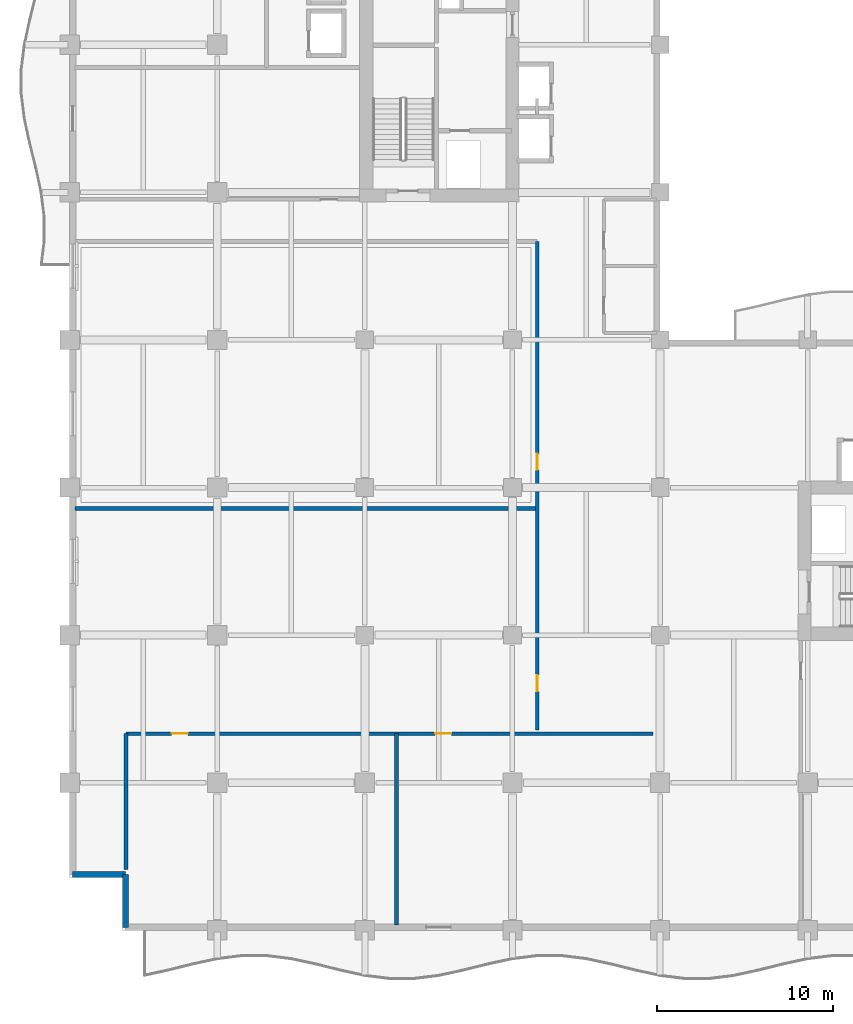
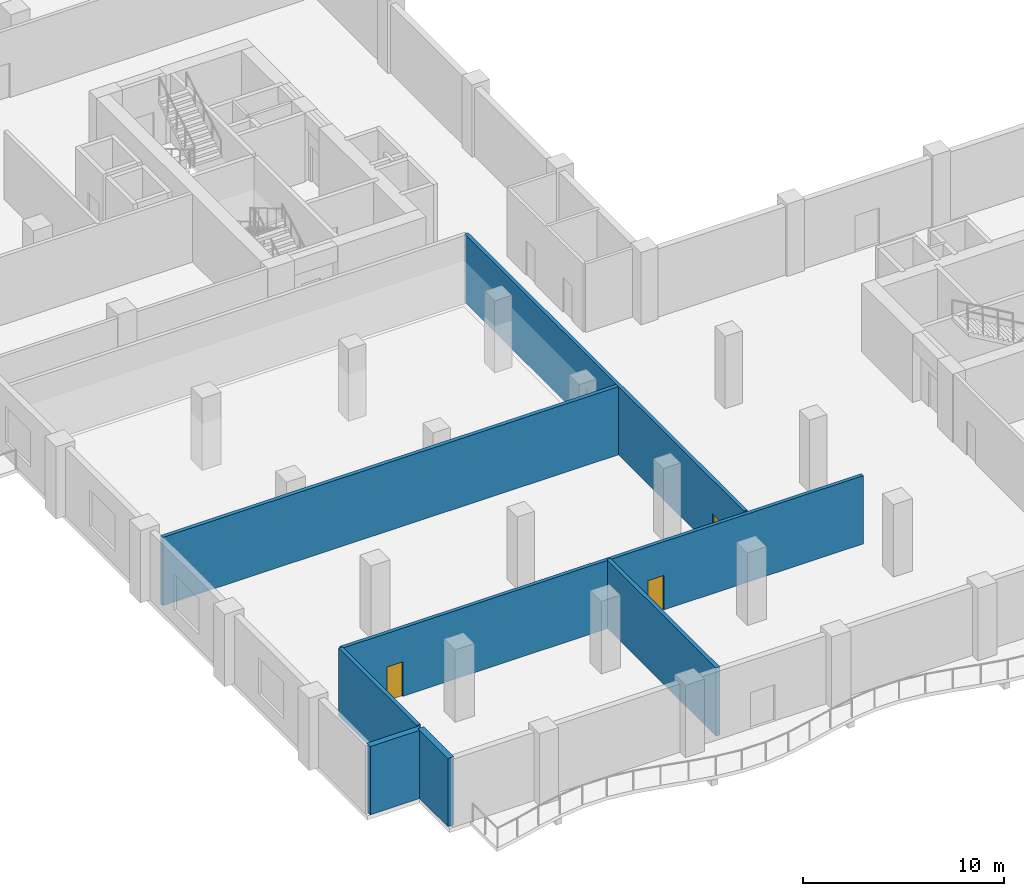
# One storey, part 9 of 22: 7 walls, 4 doors, 4 openings.
"""IFC4 building model written with IfcOpenShell, lengths in metres."""

from ifc_helpers import new_model, si_unit, direction, frame, frame_2d, origin, place, context, subcontext, project, spatial, rectangle, extrude, material, layer, layer_set, type_object, element, fill, save


model = new_model("IFC4")

# Units and contexts
model_context = context("Model", 3, precision=1e-05, world=origin(), true_north=direction((0.0, 1.0)))
body_context = subcontext(model_context, "Body", "Model", "MODEL_VIEW")
ifc_project = project(units=[si_unit("LENGTHUNIT", "METRE"), si_unit("AREAUNIT", "SQUARE_METRE"), si_unit("VOLUMEUNIT", "CUBIC_METRE"), si_unit("PLANEANGLEUNIT", "RADIAN"), si_unit("MASSUNIT", "GRAM", prefix="KILO")], contexts=[model_context])

# Site, building, storey
site_placement = place(None, origin())
site = spatial("IfcSite", under=ifc_project, at=site_placement, CompositionType="ELEMENT")
building_placement = place(site_placement, origin())
building = spatial("IfcBuilding", under=site, at=building_placement, Name="Koriwani Terraces Tower", CompositionType="ELEMENT")
storey_placement = place(building_placement, frame((0.0, 0.0, 153.199951171875)))
storey = spatial("IfcBuildingStorey", under=building, at=storey_placement, Name="L37", CompositionType="ELEMENT", Elevation=153.199951171875)

# Wall, openings, doors
ifc_material_1 = material(Name="Autoclaved Cellular Concrete Blockwork", Category="masonry")
ifc_layer_1 = layer(ifc_material_1, 0.199951171875, Name="Autoclaved Cellular Concrete Blockwork")
ifc_layer_set_1 = layer_set([ifc_layer_1], Name="Autoclaved Cellular Concrete Blockwork")
wall_type_1 = type_object("IfcWallType", Name="WALL_CORRIDOR_200", PredefinedType="PARTITIONING", material=ifc_layer_set_1)
wall_1_placement = place(storey_placement, frame((3.199951171875, 11.199951171875, 0.0), z_axis=(0.0, 0.0, 1.0), x_axis=(1.0, 0.0, 0.0)))
wall_1 = element("IfcWall", 1, at=wall_1_placement, inside=storey, type_object=wall_type_1, Name="L37 Interior Wall WSKY-SPN-L37", PredefinedType="PARTITIONING", context=body_context, shape_type="SweptSolid", body=[
    extrude(rectangle(XDim=30.0, YDim=0.199951171875, at=frame_2d((15.0, 0.0))), origin(), (0.0, 0.0, 1.0), 4.150146484375),
])
opening_1_placement = place(wall_1_placement, frame((2.60009765625, 0.0, 0.0)))
opening_1 = element("IfcOpeningElement", 2, at=opening_1_placement, cuts=wall_1, Name="Opening D-06", PredefinedType="OPENING", context=body_context, shape_type="SweptSolid", body=[
    extrude(rectangle(XDim=0.919921875, YDim=2.10009765625, at=frame_2d((0.4599609375, 1.050048828125))), frame((0.0, 0.10986328125, 0.0), z_axis=(0.0, -1.0, 0.0), x_axis=(1.0, 0.0, 0.0)), (0.0, 0.0, 1.0), 0.219970703125),
])
opening_2_placement = place(wall_1_placement, frame((17.60009765625, 0.0, 0.0)))
opening_2 = element("IfcOpeningElement", 3, at=opening_2_placement, cuts=wall_1, Name="Opening D-06", PredefinedType="OPENING", context=body_context, shape_type="SweptSolid", body=[
    extrude(rectangle(XDim=0.919921875, YDim=2.10009765625, at=frame_2d((0.4599609375, 1.050048828125))), frame((0.0, 0.10986328125, 0.0), z_axis=(0.0, -1.0, 0.0), x_axis=(1.0, 0.0, 0.0)), (0.0, 0.0, 1.0), 0.219970703125),
])
ifc_material_2 = material(Name="Architectural Oak Fire Door", Category="wood")
door_type = type_object("IfcDoorType", Name="DOOR_ROOM_INT_920X2100", OperationType="NOTDEFINED", PredefinedType="DOOR", material=ifc_material_2)
door_1_placement = place(opening_1_placement, origin())
door_1 = element("IfcDoor", 4, at=door_1_placement, inside=storey, type_object=door_type, Name="L37 Sky Spa Salon Door", OperationType="SINGLE_SWING_LEFT", OverallHeight=2.10009765625, OverallWidth=0.919921875, PredefinedType="DOOR", context=body_context, shape_type="SweptSolid", body=[
    extrude(rectangle(XDim=0.919921875, YDim=2.10009765625, at=frame_2d((0.4599609375, 1.050048828125))), frame((0.0, 0.02490234375, 0.0), z_axis=(0.0, -1.0, 0.0), x_axis=(1.0, 0.0, 0.0)), (0.0, 0.0, 1.0), 0.050048828125),
])
fill(opening_1, door_1)
door_2_placement = place(opening_2_placement, origin())
door_2 = element("IfcDoor", 5, at=door_2_placement, inside=storey, type_object=door_type, Name="L37 Sommelier Kitchen Door", OperationType="SINGLE_SWING_RIGHT", OverallHeight=2.10009765625, OverallWidth=0.919921875, PredefinedType="DOOR", context=body_context, shape_type="SweptSolid", body=[
    extrude(rectangle(XDim=0.919921875, YDim=2.10009765625, at=frame_2d((0.4599609375, 1.050048828125))), frame((0.0, 0.02490234375, 0.0), z_axis=(0.0, -1.0, 0.0), x_axis=(1.0, 0.0, 0.0)), (0.0, 0.0, 1.0), 0.050048828125),
])
fill(opening_2, door_2)

wall_2_placement = place(storey_placement, frame((26.60009765625, 11.39990234375, 0.0), z_axis=(0.0, 0.0, 1.0), x_axis=(0.0, 1.0, 0.0)))
wall_2 = element("IfcWall", 6, at=wall_2_placement, inside=storey, type_object=wall_type_1, Name="L37 Interior Wall WSKY-WME-L37", PredefinedType="PARTITIONING", context=body_context, shape_type="SweptSolid", body=[
    extrude(rectangle(XDim=27.800048828125, YDim=0.199951171875, at=frame_2d((13.89990234375, 0.0))), origin(), (0.0, 0.0, 1.0), 4.150146484375),
])
opening_3_placement = place(wall_2_placement, frame((2.199951171875, 0.0, 0.0)))
opening_3 = element("IfcOpeningElement", 7, at=opening_3_placement, cuts=wall_2, Name="Opening D-06", PredefinedType="OPENING", context=body_context, shape_type="SweptSolid", body=[
    extrude(rectangle(XDim=0.919921875, YDim=2.10009765625, at=frame_2d((0.4599609375, 1.050048828125))), frame((0.0, 0.10986328125, 0.0), z_axis=(0.0, -1.0, 0.0), x_axis=(1.0, 0.0, 0.0)), (0.0, 0.0, 1.0), 0.219970703125),
])
opening_4_placement = place(wall_2_placement, frame((14.800048828125, 0.0, 0.0)))
opening_4 = element("IfcOpeningElement", 8, at=opening_4_placement, cuts=wall_2, Name="Opening D-06", PredefinedType="OPENING", context=body_context, shape_type="SweptSolid", body=[
    extrude(rectangle(XDim=0.919921875, YDim=2.10009765625, at=frame_2d((0.4599609375, 1.050048828125))), frame((0.0, 0.10986328125, 0.0), z_axis=(0.0, -1.0, 0.0), x_axis=(1.0, 0.0, 0.0)), (0.0, 0.0, 1.0), 0.219970703125),
])
door_3_placement = place(opening_3_placement, origin())
door_3 = element("IfcDoor", 9, at=door_3_placement, inside=storey, type_object=door_type, Name="L37 Screening Room Door", OperationType="SINGLE_SWING_LEFT", OverallHeight=2.10009765625, OverallWidth=0.919921875, PredefinedType="DOOR", context=body_context, shape_type="SweptSolid", body=[
    extrude(rectangle(XDim=0.919921875, YDim=2.10009765625, at=frame_2d((0.4599609375, 1.050048828125))), frame((0.0, 0.02490234375, 0.0), z_axis=(0.0, -1.0, 0.0), x_axis=(1.0, 0.0, 0.0)), (0.0, 0.0, 1.0), 0.050048828125),
])
fill(opening_3, door_3)
door_4_placement = place(opening_4_placement, origin())
door_4 = element("IfcDoor", 10, at=door_4_placement, inside=storey, type_object=door_type, Name="L37 Study Library Door", OperationType="SINGLE_SWING_RIGHT", OverallHeight=2.10009765625, OverallWidth=0.919921875, PredefinedType="DOOR", context=body_context, shape_type="SweptSolid", body=[
    extrude(rectangle(XDim=0.919921875, YDim=2.10009765625, at=frame_2d((0.4599609375, 1.050048828125))), frame((0.0, 0.02490234375, 0.0), z_axis=(0.0, -1.0, 0.0), x_axis=(1.0, 0.0, 0.0)), (0.0, 0.0, 1.0), 0.050048828125),
])
fill(opening_4, door_4)

# Walls
ifc_layer_2 = layer(ifc_material_1, 0.219970703125, Name="Autoclaved Cellular Concrete Blockwork")
ifc_layer_set_2 = layer_set([ifc_layer_2], Name="Autoclaved Cellular Concrete Blockwork")
wall_type_2 = type_object("IfcWallType", Name="WALL_DEMISING_220", PredefinedType="PARTITIONING", material=ifc_layer_set_2)
wall_3_placement = place(storey_placement, frame((3.199951171875, 3.449951171875, 0.0), z_axis=(0.0, 0.0, 1.0), x_axis=(0.0, 1.0, 0.0)))
element("IfcWall", 11, at=wall_3_placement, inside=storey, type_object=wall_type_2, Name="L37 Interior Wall WSKY-SPW-L37", PredefinedType="PARTITIONING", context=body_context, shape_type="SweptSolid", body=[
    extrude(rectangle(XDim=7.75, YDim=0.219970703125, at=frame_2d((3.875, 0.0))), origin(), (0.0, 0.0, 1.0), 4.150146484375),
])
wall_4_placement = place(storey_placement, frame((18.60009765625, 0.300048828125, 0.0), z_axis=(0.0, 0.0, 1.0), x_axis=(0.0, 1.0, 0.0)))
element("IfcWall", 12, at=wall_4_placement, inside=storey, type_object=wall_type_2, Name="L37 Interior Wall WSKY-SPM-L37", PredefinedType="PARTITIONING", context=body_context, shape_type="SweptSolid", body=[
    extrude(rectangle(XDim=10.89990234375, YDim=0.219970703125, at=frame_2d((5.449951171875, 0.0))), origin(), (0.0, 0.0, 1.0), 4.150146484375),
])
wall_5_placement = place(storey_placement, frame((0.300048828125, 24.0, 0.0), z_axis=(0.0, 0.0, 1.0), x_axis=(1.0, 0.0, 0.0)))
element("IfcWall", 13, at=wall_5_placement, inside=storey, type_object=wall_type_2, Name="L37 Interior Wall WSKY-WMM-L37", PredefinedType="PARTITIONING", context=body_context, shape_type="SweptSolid", body=[
    extrude(rectangle(XDim=26.300048828125, YDim=0.219970703125, at=frame_2d((13.14990234375, 0.0))), origin(), (0.0, 0.0, 1.0), 4.150146484375),
])
ifc_material_3 = material(Name="Concrete C50/60", Category="concrete")
ifc_layer_3 = layer(ifc_material_3, 0.35009765625, Name="Concrete C50/60")
ifc_layer_set_3 = layer_set([ifc_layer_3], Name="Concrete C50/60")
wall_type_3 = type_object("IfcWallType", Name="WALL_EXT_BRUTALIST_350", PredefinedType="STANDARD", material=ifc_layer_set_3)
for number, where, z_axis, x_axis, name in (
    (14, (3.175048828125, 0.175048828125, 0.0), (0.0, 0.0, 1.0), (0.0, 1.0, 0.0), "L37 Fair-Faced Brutalist Exterior Wall (N0)"),
    (15, (3.175048828125, 3.175048828125, 0.0), (0.0, 0.0, 1.0), (-1.0, 0.0, 0.0), "L37 Fair-Faced Brutalist Exterior Wall (N1)"),
):
    element("IfcWall", number, at=place(storey_placement, frame(where, z_axis=z_axis, x_axis=x_axis)), inside=storey, type_object=wall_type_3, Name=name, PredefinedType="STANDARD", context=body_context, shape_type="SweptSolid", body=[
        extrude(rectangle(XDim=3.0, YDim=0.35009765625, at=frame_2d((1.5, 0.0))), origin(), (0.0, 0.0, 1.0), 4.150146484375),
    ])

save(model, "model.ifc")
